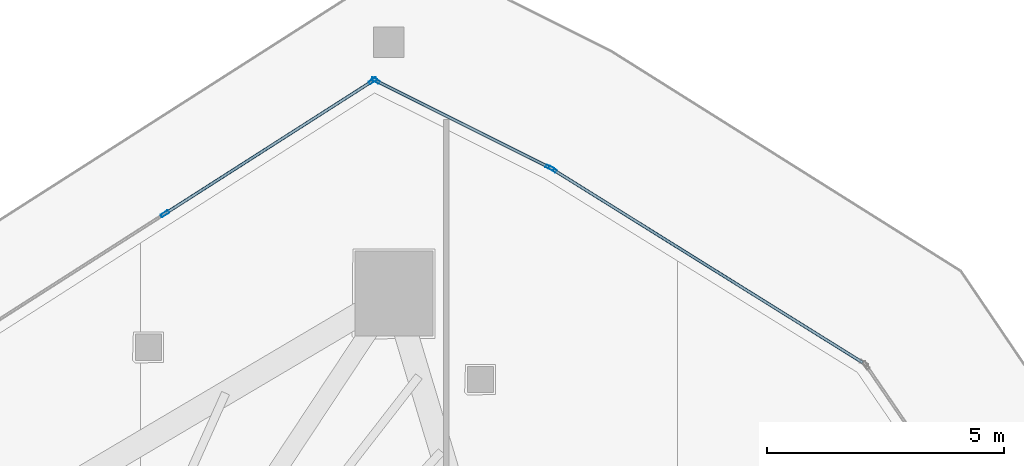
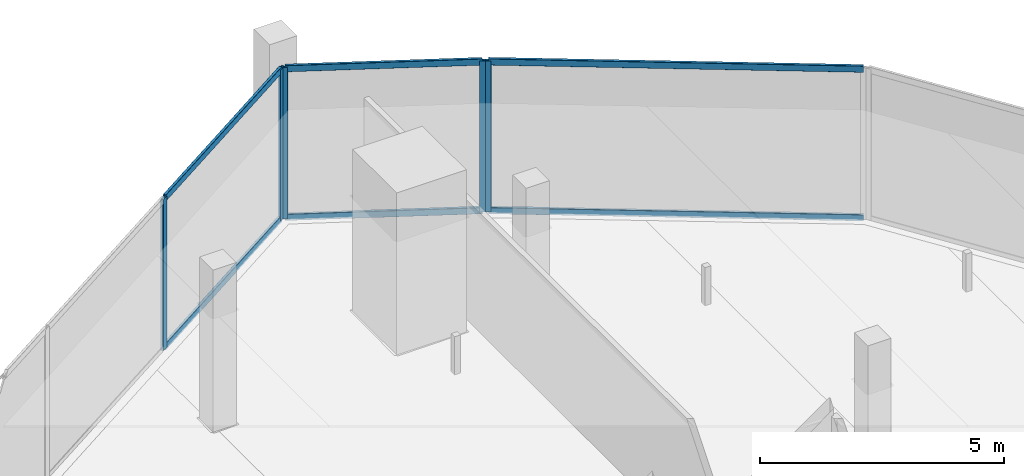
# One storey, part 19 of 30: 11 members, 3 elements without a shape of their own.
"""IFC4 building model written with IfcOpenShell, lengths in metres."""

from ifc_helpers import new_model, si_unit, direction, frame, origin, origin_2d, place, context, subcontext, project, spatial, hollow_rectangle, extrude, material, layer, layer_set, material_profile, profile_set, type_object, element, aggregate, save


model = new_model("IFC4")

# Units and contexts
model_context = context("Model", 3, precision=1e-05, world=origin(), true_north=direction((0.0, 1.0)))
body_context = subcontext(model_context, "Body", "Model", "MODEL_VIEW")
ifc_project = project(units=[si_unit("LENGTHUNIT", "METRE"), si_unit("AREAUNIT", "SQUARE_METRE"), si_unit("VOLUMEUNIT", "CUBIC_METRE"), si_unit("PLANEANGLEUNIT", "RADIAN"), si_unit("MASSUNIT", "GRAM", prefix="KILO")], contexts=[model_context])

# Site, building, storey
site_placement = place(None, origin())
site = spatial("IfcSite", under=ifc_project, at=site_placement, CompositionType="ELEMENT")
building_placement = place(site_placement, origin())
building = spatial("IfcBuilding", under=site, at=building_placement, Name="Qorvath Tower", CompositionType="ELEMENT")
storey_placement = place(building_placement, frame((0.0, 0.0, 217.199951171875)))
storey = spatial("IfcBuildingStorey", under=building, at=storey_placement, Name="L50", CompositionType="ELEMENT", Elevation=217.199951171875)

# Curtain wall, member
ifc_material_1 = material(Name="Anodised aluminium and triple low-E glass", Category="aluminium")
ifc_layer = layer(ifc_material_1, 0.179931640625)
ifc_layer_set = layer_set([ifc_layer], Name="CW-SYS-3")
curtain_wall_type = type_object("IfcCurtainWallType", Name="CW-SYS-3", PredefinedType="NOTDEFINED", material=ifc_layer_set)
curtain_wall_1_placement = place(storey_placement, origin())
curtain_wall_1 = element("IfcCurtainWall", 1, at=curtain_wall_1_placement, inside=storey, type_object=curtain_wall_type, Name="Curtain Wall CW-3 CW-T-L50-14.1", PredefinedType="NOTDEFINED")
ifc_material_2 = material(Name="Anodised aluminium 6063-T6", Category="aluminium")
ifc_material_profile_1 = material_profile(ifc_material_2, hollow_rectangle(XDim=0.06494140625, YDim=0.179931640625, WallThickness=0.00341796875, InnerFilletRadius=0.00341796875, OuterFilletRadius=0.007080078125, at=origin_2d()), Name="CWM 180x65")
ifc_profile_set_1 = profile_set([ifc_material_profile_1], Name="Anodised aluminium 6063-T6")
member_type_1 = type_object("IfcMemberType", Name="CWM-180", PredefinedType="MULLION", material=ifc_profile_set_1)
member_1_placement = place(storey_placement, frame((-13.52734375, 24.25048828125, 0.0), z_axis=(0.0, 0.0, 1.0), x_axis=(-0.528981931327, -0.848633086987, 0.0)))
member_1 = element("IfcMember", 2, at=member_1_placement, type_object=member_type_1, Name="CW-3 mullion 2", PredefinedType="MULLION", context=body_context, shape_type="SweptSolid", body=[
    extrude(hollow_rectangle(XDim=0.06494140625, YDim=0.179931640625, WallThickness=0.00341796875, InnerFilletRadius=0.00341796875, OuterFilletRadius=0.007080078125, at=origin_2d()), origin(), (0.0, 0.0, 1.0), 3.780029296875),
])

# Curtain wall, members
curtain_wall_2_placement = place(storey_placement, origin())
curtain_wall_2 = element("IfcCurtainWall", 3, at=curtain_wall_2_placement, inside=storey, type_object=curtain_wall_type, Name="Curtain Wall CW-3 CW-T-L50-15.1", PredefinedType="NOTDEFINED")
member_2_placement = place(storey_placement, frame((-13.583984375, 24.2822265625, 0.0), z_axis=(0.0, 0.0, 1.0), x_axis=(-0.447223177633, -0.894422399869, 0.0)))
member_2 = element("IfcMember", 4, at=member_2_placement, type_object=member_type_1, Name="CW-3 mullion 1", PredefinedType="MULLION", context=body_context, shape_type="SweptSolid", body=[
    extrude(hollow_rectangle(XDim=0.06494140625, YDim=0.179931640625, WallThickness=0.00341796875, InnerFilletRadius=0.00341796875, OuterFilletRadius=0.007080078125, at=origin_2d()), origin(), (0.0, 0.0, 1.0), 3.780029296875),
])
member_3_placement = place(storey_placement, frame((-17.259521484375, 26.119873046875, 0.0), z_axis=(0.0, 0.0, 1.0), x_axis=(-0.447223177633, -0.894422399869, 0.0)))
member_3 = element("IfcMember", 5, at=member_3_placement, type_object=member_type_1, Name="CW-3 mullion 2", PredefinedType="MULLION", context=body_context, shape_type="SweptSolid", body=[
    extrude(hollow_rectangle(XDim=0.06494140625, YDim=0.179931640625, WallThickness=0.00341796875, InnerFilletRadius=0.00341796875, OuterFilletRadius=0.007080078125, at=origin_2d()), origin(), (0.0, 0.0, 1.0), 3.780029296875),
])

curtain_wall_3_placement = place(storey_placement, origin())
curtain_wall_3 = element("IfcCurtainWall", 6, at=curtain_wall_3_placement, inside=storey, type_object=curtain_wall_type, Name="Curtain Wall CW-3 CW-T-L50-16.1", PredefinedType="NOTDEFINED")
member_4_placement = place(storey_placement, frame((-17.31591796875, 26.116943359375, 0.0), z_axis=(0.0, 0.0, 1.0), x_axis=(0.538534785809, -0.842603278224, 0.0)))
member_4 = element("IfcMember", 7, at=member_4_placement, type_object=member_type_1, Name="CW-3 mullion 1", PredefinedType="MULLION", context=body_context, shape_type="SweptSolid", body=[
    extrude(hollow_rectangle(XDim=0.06494140625, YDim=0.179931640625, WallThickness=0.00341796875, InnerFilletRadius=0.00341796875, OuterFilletRadius=0.007080078125, at=origin_2d()), origin(), (0.0, 0.0, 1.0), 3.780029296875),
])
member_5_placement = place(storey_placement, frame((-21.705810546875, 23.311279296875, 0.0), z_axis=(0.0, 0.0, 1.0), x_axis=(0.538534785809, -0.842603278224, 0.0)))
member_5 = element("IfcMember", 8, at=member_5_placement, type_object=member_type_1, Name="CW-3 mullion 2", PredefinedType="MULLION", context=body_context, shape_type="SweptSolid", body=[
    extrude(hollow_rectangle(XDim=0.06494140625, YDim=0.179931640625, WallThickness=0.00341796875, InnerFilletRadius=0.00341796875, OuterFilletRadius=0.007080078125, at=origin_2d()), origin(), (0.0, 0.0, 1.0), 3.780029296875),
])

# Member
ifc_material_3 = material(Name="Anodised aluminium 6063-T6", Category="aluminium")
ifc_material_profile_2 = material_profile(ifc_material_3, hollow_rectangle(XDim=0.06494140625, YDim=0.159912109375, WallThickness=0.00341796875, InnerFilletRadius=0.00341796875, OuterFilletRadius=0.007080078125, at=origin_2d()), Name="CWT 160x65")
ifc_profile_set_2 = profile_set([ifc_material_profile_2], Name="Anodised aluminium 6063-T6")
member_type_2 = type_object("IfcMemberType", Name="CWT-160", PredefinedType="USERDEFINED", material=ifc_profile_set_2)
member_6_placement = place(storey_placement, frame((-6.984619140625, 20.172119140625, 0.032470703125), z_axis=(-0.848637276505, 0.528975210125, 0.0), x_axis=(-0.528975210125, -0.848637276505, 0.0)))
member_6 = element("IfcMember", 9, at=member_6_placement, type_object=member_type_2, Name="CW-3 transom 1.1", ObjectType="TRANSOM", PredefinedType="USERDEFINED", context=body_context, shape_type="SweptSolid", body=[
    extrude(hollow_rectangle(XDim=0.06494140625, YDim=0.159912109375, WallThickness=0.00341796875, InnerFilletRadius=0.00341796875, OuterFilletRadius=0.007080078125, at=origin_2d()), origin(), (0.0, 0.0, 1.0), 7.67724609375),
])

member_7_placement = place(storey_placement, frame((-6.984619140625, 20.172119140625, 3.74755859375), z_axis=(-0.848637276505, 0.528975210125, 0.0), x_axis=(-0.528975210125, -0.848637276505, 0.0)))
member_7 = element("IfcMember", 10, at=member_7_placement, type_object=member_type_2, Name="CW-3 transom 1.2", ObjectType="TRANSOM", PredefinedType="USERDEFINED", context=body_context, shape_type="SweptSolid", body=[
    extrude(hollow_rectangle(XDim=0.06494140625, YDim=0.159912109375, WallThickness=0.00341796875, InnerFilletRadius=0.00341796875, OuterFilletRadius=0.007080078125, at=origin_2d()), origin(), (0.0, 0.0, 1.0), 7.67724609375),
])

aggregate(curtain_wall_1, [member_1, member_6, member_7])

member_8_placement = place(storey_placement, frame((-13.613037109375, 24.296630859375, 0.032470703125), z_axis=(-0.894415117851, 0.447237740984, 0.0), x_axis=(-0.447237740984, -0.894415117851, 0.0)))
member_8 = element("IfcMember", 11, at=member_8_placement, type_object=member_type_2, Name="CW-3 transom 1.1", ObjectType="TRANSOM", PredefinedType="USERDEFINED", context=body_context, shape_type="SweptSolid", body=[
    extrude(hollow_rectangle(XDim=0.06494140625, YDim=0.159912109375, WallThickness=0.00341796875, InnerFilletRadius=0.00341796875, OuterFilletRadius=0.007080078125, at=origin_2d()), origin(), (0.0, 0.0, 1.0), 4.04443359375),
])

member_9_placement = place(storey_placement, frame((-13.613037109375, 24.296630859375, 3.74755859375), z_axis=(-0.894415117851, 0.447237740984, 0.0), x_axis=(-0.447237740984, -0.894415117851, 0.0)))
member_9 = element("IfcMember", 12, at=member_9_placement, type_object=member_type_2, Name="CW-3 transom 1.2", ObjectType="TRANSOM", PredefinedType="USERDEFINED", context=body_context, shape_type="SweptSolid", body=[
    extrude(hollow_rectangle(XDim=0.06494140625, YDim=0.159912109375, WallThickness=0.00341796875, InnerFilletRadius=0.00341796875, OuterFilletRadius=0.007080078125, at=origin_2d()), origin(), (0.0, 0.0, 1.0), 4.04443359375),
])

aggregate(curtain_wall_2, [member_2, member_3, member_8, member_9])

member_10_placement = place(storey_placement, frame((-17.34326171875, 26.099609375, 0.032470703125), z_axis=(-0.842590987115, -0.538554016263, 0.0), x_axis=(0.538554016263, -0.842590987115, 0.0)))
member_10 = element("IfcMember", 13, at=member_10_placement, type_object=member_type_2, Name="CW-3 transom 1.1", ObjectType="TRANSOM", PredefinedType="USERDEFINED", context=body_context, shape_type="SweptSolid", body=[
    extrude(hollow_rectangle(XDim=0.06494140625, YDim=0.159912109375, WallThickness=0.00341796875, InnerFilletRadius=0.00341796875, OuterFilletRadius=0.007080078125, at=origin_2d()), origin(), (0.0, 0.0, 1.0), 5.144775390625),
])

member_11_placement = place(storey_placement, frame((-17.34326171875, 26.099609375, 3.74755859375), z_axis=(-0.842590987115, -0.538554016263, 0.0), x_axis=(0.538554016263, -0.842590987115, 0.0)))
member_11 = element("IfcMember", 14, at=member_11_placement, type_object=member_type_2, Name="CW-3 transom 1.2", ObjectType="TRANSOM", PredefinedType="USERDEFINED", context=body_context, shape_type="SweptSolid", body=[
    extrude(hollow_rectangle(XDim=0.06494140625, YDim=0.159912109375, WallThickness=0.00341796875, InnerFilletRadius=0.00341796875, OuterFilletRadius=0.007080078125, at=origin_2d()), origin(), (0.0, 0.0, 1.0), 5.144775390625),
])

aggregate(curtain_wall_3, [member_4, member_5, member_10, member_11])

save(model, "model.ifc")
